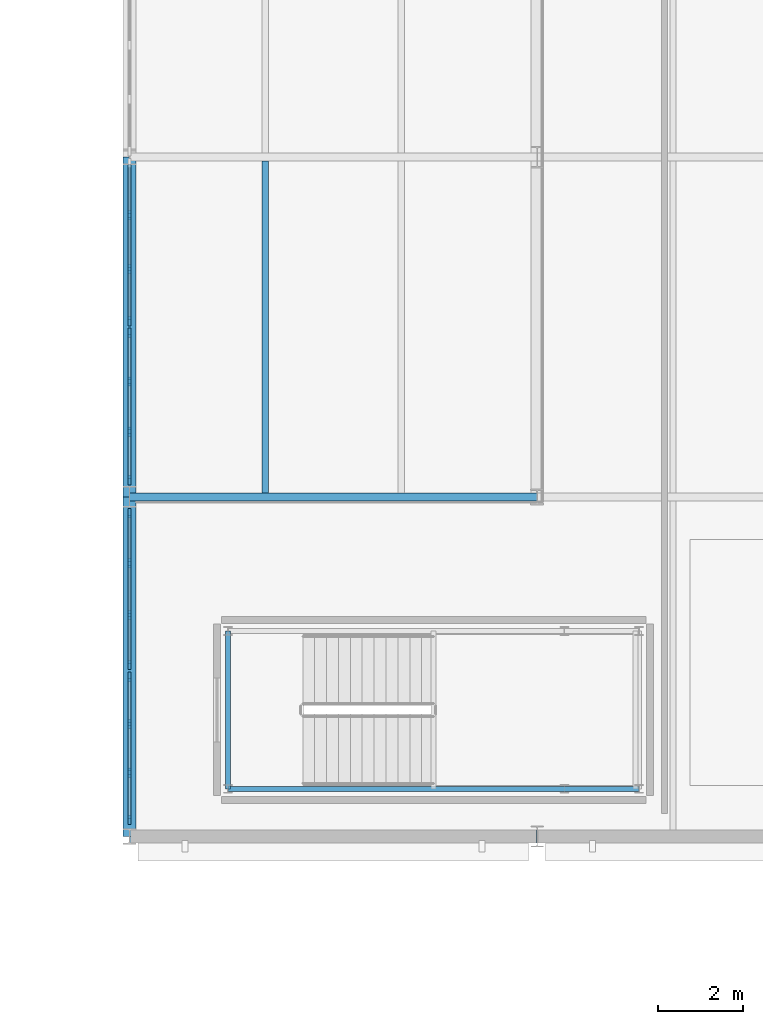
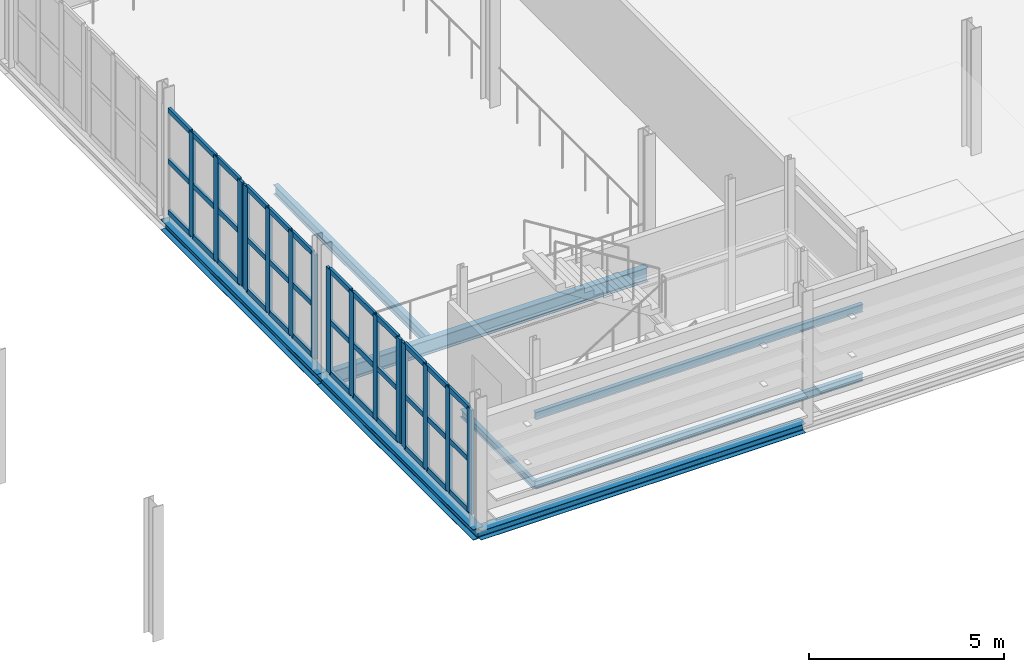
# One storey, part 31 of 78: 51 members, 8 beams, 4 elements without a shape of their own.
"""IFC4 building model written with IfcOpenShell, lengths in metres."""

from ifc_helpers import new_model, si_unit, direction, frame, origin, origin_2d, place, context, subcontext, project, spatial, rectangle, i_section, extrude, material, layer, layer_set, material_profile, profile_set, type_object, element, aggregate, save


model = new_model("IFC4")

# Units and contexts
model_context = context("Model", 3, precision=1e-05, world=origin(), true_north=direction((0.0, 1.0)))
body_context = subcontext(model_context, "Body", "Model", "MODEL_VIEW")
ifc_project = project(units=[si_unit("LENGTHUNIT", "METRE"), si_unit("AREAUNIT", "SQUARE_METRE"), si_unit("VOLUMEUNIT", "CUBIC_METRE"), si_unit("PLANEANGLEUNIT", "RADIAN"), si_unit("MASSUNIT", "GRAM", prefix="KILO")], contexts=[model_context])

# Site, building, storey
site_placement = place(None, origin())
site = spatial("IfcSite", under=ifc_project, at=site_placement, CompositionType="ELEMENT")
building_placement = place(site_placement, origin())
building = spatial("IfcBuilding", under=site, at=building_placement, Name="Alderhovde Museum", CompositionType="ELEMENT")
storey_placement = place(building_placement, frame((0.0, 0.0, 4.5)))
storey = spatial("IfcBuildingStorey", under=building, at=storey_placement, Name="L01", CompositionType="ELEMENT", Elevation=4.5)

# Beams
ifc_material_1 = material(Name="Steel S355J2", Category="steel")
ifc_material_profile_1 = material_profile(ifc_material_1, i_section(OverallWidth=0.300048828125, OverallDepth=0.330078125, WebThickness=0.009521484375, FlangeThickness=0.0166015625, FilletRadius=0.027099609375, at=origin_2d()), Name="HEA 340")
ifc_profile_set_1 = profile_set([ifc_material_profile_1], Name="Steel S355J2")
beam_type_1 = type_object("IfcBeamType", Name="BM-HEA340", PredefinedType="BEAM", material=ifc_profile_set_1)
for number, where, z_axis, x_axis, name in (
    (1, (19.199951171875, 48.0, -0.425048828125), (0.0, 1.0, 0.0), (-1.0, 0.0, 0.0), "L01 Grid Beam X=19.2 (48.0 TO 56.0)"),
    (2, (19.199951171875, 56.0, -0.425048828125), (0.0, 1.0, 0.0), (-1.0, 0.0, 0.0), "L01 Grid Beam X=19.2 (56.0 TO 64.0)"),
):
    element("IfcBeam", number, at=place(storey_placement, frame(where, z_axis=z_axis, x_axis=x_axis)), inside=storey, type_object=beam_type_1, Name=name, PredefinedType="BEAM", context=body_context, shape_type="SweptSolid", body=[
        extrude(i_section(OverallWidth=0.300048828125, OverallDepth=0.330078125, WebThickness=0.009521484375, FlangeThickness=0.0166015625, FilletRadius=0.027099609375, at=origin_2d()), origin(), (0.0, 0.0, 1.0), 8.0),
    ])
ifc_material_2 = material(Name="Steel S355J2", Category="steel")
ifc_material_profile_2 = material_profile(ifc_material_2, i_section(OverallWidth=0.1201171875, OverallDepth=0.239990234375, WebThickness=0.006103515625, FlangeThickness=0.009765625, FilletRadius=0.014892578125, at=origin_2d()), Name="IPE 240")
ifc_profile_set_2 = profile_set([ifc_material_profile_2], Name="Steel S355J2")
beam_type_2 = type_object("IfcBeamType", Name="BM-IPE240", PredefinedType="BEAM", material=ifc_profile_set_2)
beam_1_placement = place(storey_placement, frame((21.52001953125, 49.1201171875, -0.3798828125), z_axis=(1.0, 0.0, 0.0), x_axis=(0.0, 1.0, 0.0)))
element("IfcBeam", 3, at=beam_1_placement, inside=storey, type_object=beam_type_2, Name="L01 Stair ST1 Floor Trimmer S", PredefinedType="BEAM", context=body_context, shape_type="SweptSolid", body=[
    extrude(i_section(OverallWidth=0.1201171875, OverallDepth=0.239990234375, WebThickness=0.006103515625, FlangeThickness=0.009765625, FilletRadius=0.014892578125, at=origin_2d()), origin(), (0.0, 0.0, 1.0), 9.679931640625),
])
beam_2_placement = place(storey_placement, frame((21.52001953125, 49.1201171875, -0.3798828125), z_axis=(0.0, 1.0, 0.0), x_axis=(-1.0, 0.0, 0.0)))
element("IfcBeam", 4, at=beam_2_placement, inside=storey, type_object=beam_type_2, Name="L01 Stair ST1 Floor Trimmer W", PredefinedType="BEAM", context=body_context, shape_type="SweptSolid", body=[
    extrude(i_section(OverallWidth=0.1201171875, OverallDepth=0.239990234375, WebThickness=0.006103515625, FlangeThickness=0.009765625, FilletRadius=0.014892578125, at=origin_2d()), origin(), (0.0, 0.0, 1.0), 3.719970703125),
])
beam_3_placement = place(storey_placement, frame((21.52001953125, 49.1201171875, 1.780029296875), z_axis=(1.0, 0.0, 0.0), x_axis=(0.0, 1.0, 0.0)))
element("IfcBeam", 5, at=beam_3_placement, inside=storey, type_object=beam_type_2, Name="L01 Stair ST1 Landing 1 Beam S", PredefinedType="BEAM", context=body_context, shape_type="SweptSolid", body=[
    extrude(i_section(OverallWidth=0.1201171875, OverallDepth=0.239990234375, WebThickness=0.006103515625, FlangeThickness=0.009765625, FilletRadius=0.014892578125, at=origin_2d()), origin(), (0.0, 0.0, 1.0), 9.679931640625),
])
ifc_material_3 = material(Name="Steel S355J2", Category="steel")
ifc_material_profile_3 = material_profile(ifc_material_3, i_section(OverallWidth=0.18994140625, OverallDepth=0.449951171875, WebThickness=0.009521484375, FlangeThickness=0.0146484375, FilletRadius=0.02099609375, at=origin_2d()), Name="IPE 450")
ifc_profile_set_3 = profile_set([ifc_material_profile_3], Name="Steel S355J2")
beam_type_3 = type_object("IfcBeamType", Name="BM-IPE450", PredefinedType="BEAM", material=ifc_profile_set_3)
beam_4_placement = place(storey_placement, frame((19.199951171875, 56.0, -0.485107421875), z_axis=(1.0, 0.0, 0.0), x_axis=(0.0, 1.0, 0.0)))
element("IfcBeam", 6, at=beam_4_placement, inside=storey, type_object=beam_type_3, Name="L01 Grid Beam Y=56.0 (19.2 TO 28.8)", PredefinedType="BEAM", context=body_context, shape_type="SweptSolid", body=[
    extrude(i_section(OverallWidth=0.18994140625, OverallDepth=0.449951171875, WebThickness=0.009521484375, FlangeThickness=0.0146484375, FilletRadius=0.02099609375, at=origin_2d()), origin(), (0.0, 0.0, 1.0), 9.60009765625),
])

# Curtain wall, members
ifc_material_4 = material(Name="Triple-Glazed Bronze-Anodised Curtain Wall", Category="glass")
ifc_layer_1 = layer(ifc_material_4, 0.219970703125)
ifc_layer_set_1 = layer_set([ifc_layer_1], Name="Triple-Glazed Bronze-Anodised Curtain Wall")
curtain_wall_type_1 = type_object("IfcCurtainWallType", Name="CW-STIC-345x326", PredefinedType="USERDEFINED", material=ifc_layer_set_1)
curtain_wall_1_placement = place(storey_placement, origin())
curtain_wall_1 = element("IfcCurtainWall", 7, at=curtain_wall_1_placement, inside=storey, type_object=curtain_wall_type_1, Name="L01 Stick Curtain Wall 3", ObjectType="STICK CURTAIN WALL", PredefinedType="USERDEFINED")
ifc_material_5 = material(Name="Bronze-Anodised Aluminium EN AW-6063-T6", Category="aluminium")
ifc_material_profile_4 = material_profile(ifc_material_5, rectangle(XDim=0.074951171875, YDim=0.219970703125, at=origin_2d()), Name="MULLION 75x220")
ifc_profile_set_4 = profile_set([ifc_material_profile_4], Name="Bronze-Anodised Aluminium EN AW-6063-T6")
member_type_1 = type_object("IfcMemberType", Name="CWM-75x220", PredefinedType="MULLION", material=ifc_profile_set_4)
member_1_placement = place(storey_placement, frame((19.199951171875, 48.387451171875, 0.0), z_axis=(0.0, 0.0, 1.0), x_axis=(-1.0, 0.0, 0.0)))
member_1 = element("IfcMember", 8, at=member_1_placement, type_object=member_type_1, Name="CW03 mullion 1", PredefinedType="MULLION", context=body_context, shape_type="SweptSolid", body=[
    extrude(rectangle(XDim=0.074951171875, YDim=0.219970703125, at=origin_2d()), origin(), (0.0, 0.0, 1.0), 3.260009765625),
])
member_2_placement = place(storey_placement, frame((19.199951171875, 49.5, 0.0), z_axis=(0.0, 0.0, 1.0), x_axis=(-1.0, 0.0, 0.0)))
member_2 = element("IfcMember", 9, at=member_2_placement, type_object=member_type_1, Name="CW03 mullion 2", PredefinedType="MULLION", context=body_context, shape_type="SweptSolid", body=[
    extrude(rectangle(XDim=0.074951171875, YDim=0.219970703125, at=origin_2d()), origin(), (0.0, 0.0, 1.0), 3.260009765625),
])
member_3_placement = place(storey_placement, frame((19.199951171875, 50.64990234375, 0.0), z_axis=(0.0, 0.0, 1.0), x_axis=(-1.0, 0.0, 0.0)))
member_3 = element("IfcMember", 10, at=member_3_placement, type_object=member_type_1, Name="CW03 mullion 3", PredefinedType="MULLION", context=body_context, shape_type="SweptSolid", body=[
    extrude(rectangle(XDim=0.074951171875, YDim=0.219970703125, at=origin_2d()), origin(), (0.0, 0.0, 1.0), 3.260009765625),
])
member_4_placement = place(storey_placement, frame((19.199951171875, 51.762451171875, 0.0), z_axis=(0.0, 0.0, 1.0), x_axis=(-1.0, 0.0, 0.0)))
member_4 = element("IfcMember", 11, at=member_4_placement, type_object=member_type_1, Name="CW03 mullion 4", PredefinedType="MULLION", context=body_context, shape_type="SweptSolid", body=[
    extrude(rectangle(XDim=0.074951171875, YDim=0.219970703125, at=origin_2d()), origin(), (0.0, 0.0, 1.0), 3.260009765625),
])

ifc_material_6 = material(Name="Triple-Glazed Bronze-Anodised Curtain Wall", Category="glass")
ifc_layer_2 = layer(ifc_material_6, 0.219970703125)
ifc_layer_set_2 = layer_set([ifc_layer_2], Name="Triple-Glazed Bronze-Anodised Curtain Wall")
curtain_wall_type_2 = type_object("IfcCurtainWallType", Name="CW-STIC-365x326", PredefinedType="USERDEFINED", material=ifc_layer_set_2)
curtain_wall_2_placement = place(storey_placement, origin())
curtain_wall_2 = element("IfcCurtainWall", 12, at=curtain_wall_2_placement, inside=storey, type_object=curtain_wall_type_2, Name="L01 Stick Curtain Wall 4", ObjectType="STICK CURTAIN WALL", PredefinedType="USERDEFINED")
member_5_placement = place(storey_placement, frame((19.199951171875, 52.03759765625, 0.0), z_axis=(0.0, 0.0, 1.0), x_axis=(-1.0, 0.0, 0.0)))
member_5 = element("IfcMember", 13, at=member_5_placement, type_object=member_type_1, Name="CW04 mullion 1", PredefinedType="MULLION", context=body_context, shape_type="SweptSolid", body=[
    extrude(rectangle(XDim=0.074951171875, YDim=0.219970703125, at=origin_2d()), origin(), (0.0, 0.0, 1.0), 3.260009765625),
])
member_6_placement = place(storey_placement, frame((19.199951171875, 53.216552734375, 0.0), z_axis=(0.0, 0.0, 1.0), x_axis=(-1.0, 0.0, 0.0)))
member_6 = element("IfcMember", 14, at=member_6_placement, type_object=member_type_1, Name="CW04 mullion 2", PredefinedType="MULLION", context=body_context, shape_type="SweptSolid", body=[
    extrude(rectangle(XDim=0.074951171875, YDim=0.219970703125, at=origin_2d()), origin(), (0.0, 0.0, 1.0), 3.260009765625),
])
member_7_placement = place(storey_placement, frame((19.199951171875, 54.433349609375, 0.0), z_axis=(0.0, 0.0, 1.0), x_axis=(-1.0, 0.0, 0.0)))
member_7 = element("IfcMember", 15, at=member_7_placement, type_object=member_type_1, Name="CW04 mullion 3", PredefinedType="MULLION", context=body_context, shape_type="SweptSolid", body=[
    extrude(rectangle(XDim=0.074951171875, YDim=0.219970703125, at=origin_2d()), origin(), (0.0, 0.0, 1.0), 3.260009765625),
])
member_8_placement = place(storey_placement, frame((19.199951171875, 55.612548828125, 0.0), z_axis=(0.0, 0.0, 1.0), x_axis=(-1.0, 0.0, 0.0)))
member_8 = element("IfcMember", 16, at=member_8_placement, type_object=member_type_1, Name="CW04 mullion 4", PredefinedType="MULLION", context=body_context, shape_type="SweptSolid", body=[
    extrude(rectangle(XDim=0.074951171875, YDim=0.219970703125, at=origin_2d()), origin(), (0.0, 0.0, 1.0), 3.260009765625),
])

ifc_material_7 = material(Name="Triple-Glazed Bronze-Anodised Curtain Wall", Category="glass")
ifc_layer_3 = layer(ifc_material_7, 0.219970703125)
ifc_layer_set_3 = layer_set([ifc_layer_3], Name="Triple-Glazed Bronze-Anodised Curtain Wall")
curtain_wall_type_3 = type_object("IfcCurtainWallType", Name="CW-STIC-355x326", PredefinedType="USERDEFINED", material=ifc_layer_set_3)
curtain_wall_3_placement = place(storey_placement, origin())
curtain_wall_3 = element("IfcCurtainWall", 17, at=curtain_wall_3_placement, inside=storey, type_object=curtain_wall_type_3, Name="L01 Stick Curtain Wall 7", ObjectType="STICK CURTAIN WALL", PredefinedType="USERDEFINED")
member_9_placement = place(storey_placement, frame((19.199951171875, 56.387451171875, 0.0), z_axis=(0.0, 0.0, 1.0), x_axis=(-1.0, 0.0, 0.0)))
member_9 = element("IfcMember", 18, at=member_9_placement, type_object=member_type_1, Name="CW05 mullion 1", PredefinedType="MULLION", context=body_context, shape_type="SweptSolid", body=[
    extrude(rectangle(XDim=0.074951171875, YDim=0.219970703125, at=origin_2d()), origin(), (0.0, 0.0, 1.0), 3.260009765625),
])
member_10_placement = place(storey_placement, frame((19.199951171875, 57.533447265625, 0.0), z_axis=(0.0, 0.0, 1.0), x_axis=(-1.0, 0.0, 0.0)))
member_10 = element("IfcMember", 19, at=member_10_placement, type_object=member_type_1, Name="CW05 mullion 2", PredefinedType="MULLION", context=body_context, shape_type="SweptSolid", body=[
    extrude(rectangle(XDim=0.074951171875, YDim=0.219970703125, at=origin_2d()), origin(), (0.0, 0.0, 1.0), 3.260009765625),
])
member_11_placement = place(storey_placement, frame((19.199951171875, 58.716552734375, 0.0), z_axis=(0.0, 0.0, 1.0), x_axis=(-1.0, 0.0, 0.0)))
member_11 = element("IfcMember", 20, at=member_11_placement, type_object=member_type_1, Name="CW05 mullion 3", PredefinedType="MULLION", context=body_context, shape_type="SweptSolid", body=[
    extrude(rectangle(XDim=0.074951171875, YDim=0.219970703125, at=origin_2d()), origin(), (0.0, 0.0, 1.0), 3.260009765625),
])
member_12_placement = place(storey_placement, frame((19.199951171875, 59.862548828125, 0.0), z_axis=(0.0, 0.0, 1.0), x_axis=(-1.0, 0.0, 0.0)))
member_12 = element("IfcMember", 21, at=member_12_placement, type_object=member_type_1, Name="CW05 mullion 4", PredefinedType="MULLION", context=body_context, shape_type="SweptSolid", body=[
    extrude(rectangle(XDim=0.074951171875, YDim=0.219970703125, at=origin_2d()), origin(), (0.0, 0.0, 1.0), 3.260009765625),
])

ifc_material_8 = material(Name="Triple-Glazed Bronze-Anodised Curtain Wall", Category="glass")
ifc_layer_4 = layer(ifc_material_8, 0.219970703125)
ifc_layer_set_4 = layer_set([ifc_layer_4], Name="Triple-Glazed Bronze-Anodised Curtain Wall")
curtain_wall_type_4 = type_object("IfcCurtainWallType", Name="CW-STIC-380x326", PredefinedType="USERDEFINED", material=ifc_layer_set_4)
curtain_wall_4_placement = place(storey_placement, origin())
curtain_wall_4 = element("IfcCurtainWall", 22, at=curtain_wall_4_placement, inside=storey, type_object=curtain_wall_type_4, Name="L01 Stick Curtain Wall 8", ObjectType="STICK CURTAIN WALL", PredefinedType="USERDEFINED")
member_13_placement = place(storey_placement, frame((19.199951171875, 60.137451171875, 0.0), z_axis=(0.0, 0.0, 1.0), x_axis=(-1.0, 0.0, 0.0)))
member_13 = element("IfcMember", 23, at=member_13_placement, type_object=member_type_1, Name="CW06 mullion 1", PredefinedType="MULLION", context=body_context, shape_type="SweptSolid", body=[
    extrude(rectangle(XDim=0.074951171875, YDim=0.219970703125, at=origin_2d()), origin(), (0.0, 0.0, 1.0), 3.260009765625),
])
member_14_placement = place(storey_placement, frame((19.199951171875, 61.36669921875, 0.0), z_axis=(0.0, 0.0, 1.0), x_axis=(-1.0, 0.0, 0.0)))
member_14 = element("IfcMember", 24, at=member_14_placement, type_object=member_type_1, Name="CW06 mullion 2", PredefinedType="MULLION", context=body_context, shape_type="SweptSolid", body=[
    extrude(rectangle(XDim=0.074951171875, YDim=0.219970703125, at=origin_2d()), origin(), (0.0, 0.0, 1.0), 3.260009765625),
])
member_15_placement = place(storey_placement, frame((19.199951171875, 62.63330078125, 0.0), z_axis=(0.0, 0.0, 1.0), x_axis=(-1.0, 0.0, 0.0)))
member_15 = element("IfcMember", 25, at=member_15_placement, type_object=member_type_1, Name="CW06 mullion 3", PredefinedType="MULLION", context=body_context, shape_type="SweptSolid", body=[
    extrude(rectangle(XDim=0.074951171875, YDim=0.219970703125, at=origin_2d()), origin(), (0.0, 0.0, 1.0), 3.260009765625),
])

# Member
ifc_material_9 = material(Name="Bronze-Anodised Aluminium EN AW-6063-T6", Category="aluminium")
ifc_material_profile_5 = material_profile(ifc_material_9, rectangle(XDim=0.074951171875, YDim=0.159912109375, at=origin_2d()), Name="TRANSOM 75x160")
ifc_profile_set_5 = profile_set([ifc_material_profile_5], Name="Bronze-Anodised Aluminium EN AW-6063-T6")
member_type_2 = type_object("IfcMemberType", Name="CWT-75x160", PredefinedType="USERDEFINED", material=ifc_profile_set_5)
member_16_placement = place(storey_placement, frame((19.199951171875, 48.425048828125, 0.03759765625), z_axis=(0.0, 1.0, 0.0), x_axis=(-1.0, 0.0, 0.0)))
member_16 = element("IfcMember", 26, at=member_16_placement, type_object=member_type_2, Name="CW03 transom 1.1", ObjectType="TRANSOM", PredefinedType="USERDEFINED", context=body_context, shape_type="SweptSolid", body=[
    extrude(rectangle(XDim=0.074951171875, YDim=0.159912109375, at=origin_2d()), origin(), (0.0, 0.0, 1.0), 1.037353515625),
])

member_17_placement = place(storey_placement, frame((19.199951171875, 48.425048828125, 1.6298828125), z_axis=(0.0, 1.0, 0.0), x_axis=(-1.0, 0.0, 0.0)))
member_17 = element("IfcMember", 27, at=member_17_placement, type_object=member_type_2, Name="CW03 transom 1.2", ObjectType="TRANSOM", PredefinedType="USERDEFINED", context=body_context, shape_type="SweptSolid", body=[
    extrude(rectangle(XDim=0.074951171875, YDim=0.159912109375, at=origin_2d()), origin(), (0.0, 0.0, 1.0), 1.037353515625),
])

member_18_placement = place(storey_placement, frame((19.199951171875, 48.425048828125, 3.222412109375), z_axis=(0.0, 1.0, 0.0), x_axis=(-1.0, 0.0, 0.0)))
member_18 = element("IfcMember", 28, at=member_18_placement, type_object=member_type_2, Name="CW03 transom 1.3", ObjectType="TRANSOM", PredefinedType="USERDEFINED", context=body_context, shape_type="SweptSolid", body=[
    extrude(rectangle(XDim=0.074951171875, YDim=0.159912109375, at=origin_2d()), origin(), (0.0, 0.0, 1.0), 1.037353515625),
])

member_19_placement = place(storey_placement, frame((19.199951171875, 49.53759765625, 0.03759765625), z_axis=(0.0, 1.0, 0.0), x_axis=(-1.0, 0.0, 0.0)))
member_19 = element("IfcMember", 29, at=member_19_placement, type_object=member_type_2, Name="CW03 transom 2.1", ObjectType="TRANSOM", PredefinedType="USERDEFINED", context=body_context, shape_type="SweptSolid", body=[
    extrude(rectangle(XDim=0.074951171875, YDim=0.159912109375, at=origin_2d()), origin(), (0.0, 0.0, 1.0), 1.074951171875),
])

member_20_placement = place(storey_placement, frame((19.199951171875, 49.53759765625, 1.6298828125), z_axis=(0.0, 1.0, 0.0), x_axis=(-1.0, 0.0, 0.0)))
member_20 = element("IfcMember", 30, at=member_20_placement, type_object=member_type_2, Name="CW03 transom 2.2", ObjectType="TRANSOM", PredefinedType="USERDEFINED", context=body_context, shape_type="SweptSolid", body=[
    extrude(rectangle(XDim=0.074951171875, YDim=0.159912109375, at=origin_2d()), origin(), (0.0, 0.0, 1.0), 1.074951171875),
])

member_21_placement = place(storey_placement, frame((19.199951171875, 49.53759765625, 3.222412109375), z_axis=(0.0, 1.0, 0.0), x_axis=(-1.0, 0.0, 0.0)))
member_21 = element("IfcMember", 31, at=member_21_placement, type_object=member_type_2, Name="CW03 transom 2.3", ObjectType="TRANSOM", PredefinedType="USERDEFINED", context=body_context, shape_type="SweptSolid", body=[
    extrude(rectangle(XDim=0.074951171875, YDim=0.159912109375, at=origin_2d()), origin(), (0.0, 0.0, 1.0), 1.074951171875),
])

member_22_placement = place(storey_placement, frame((19.199951171875, 50.6875, 0.03759765625), z_axis=(0.0, 1.0, 0.0), x_axis=(-1.0, 0.0, 0.0)))
member_22 = element("IfcMember", 32, at=member_22_placement, type_object=member_type_2, Name="CW03 transom 3.1", ObjectType="TRANSOM", PredefinedType="USERDEFINED", context=body_context, shape_type="SweptSolid", body=[
    extrude(rectangle(XDim=0.074951171875, YDim=0.159912109375, at=origin_2d()), origin(), (0.0, 0.0, 1.0), 1.03759765625),
])

member_23_placement = place(storey_placement, frame((19.199951171875, 50.6875, 1.6298828125), z_axis=(0.0, 1.0, 0.0), x_axis=(-1.0, 0.0, 0.0)))
member_23 = element("IfcMember", 33, at=member_23_placement, type_object=member_type_2, Name="CW03 transom 3.2", ObjectType="TRANSOM", PredefinedType="USERDEFINED", context=body_context, shape_type="SweptSolid", body=[
    extrude(rectangle(XDim=0.074951171875, YDim=0.159912109375, at=origin_2d()), origin(), (0.0, 0.0, 1.0), 1.03759765625),
])

member_24_placement = place(storey_placement, frame((19.199951171875, 50.6875, 3.222412109375), z_axis=(0.0, 1.0, 0.0), x_axis=(-1.0, 0.0, 0.0)))
member_24 = element("IfcMember", 34, at=member_24_placement, type_object=member_type_2, Name="CW03 transom 3.3", ObjectType="TRANSOM", PredefinedType="USERDEFINED", context=body_context, shape_type="SweptSolid", body=[
    extrude(rectangle(XDim=0.074951171875, YDim=0.159912109375, at=origin_2d()), origin(), (0.0, 0.0, 1.0), 1.03759765625),
])

aggregate(curtain_wall_1, [member_1, member_2, member_3, member_4, member_16, member_17, member_18, member_19, member_20, member_21, member_22, member_23, member_24])

member_25_placement = place(storey_placement, frame((19.199951171875, 52.074951171875, 0.03759765625), z_axis=(0.0, 1.0, 0.0), x_axis=(-1.0, 0.0, 0.0)))
member_25 = element("IfcMember", 35, at=member_25_placement, type_object=member_type_2, Name="CW04 transom 1.1", ObjectType="TRANSOM", PredefinedType="USERDEFINED", context=body_context, shape_type="SweptSolid", body=[
    extrude(rectangle(XDim=0.074951171875, YDim=0.159912109375, at=origin_2d()), origin(), (0.0, 0.0, 1.0), 1.104248046875),
])

member_26_placement = place(storey_placement, frame((19.199951171875, 52.074951171875, 1.6298828125), z_axis=(0.0, 1.0, 0.0), x_axis=(-1.0, 0.0, 0.0)))
member_26 = element("IfcMember", 36, at=member_26_placement, type_object=member_type_2, Name="CW04 transom 1.2", ObjectType="TRANSOM", PredefinedType="USERDEFINED", context=body_context, shape_type="SweptSolid", body=[
    extrude(rectangle(XDim=0.074951171875, YDim=0.159912109375, at=origin_2d()), origin(), (0.0, 0.0, 1.0), 1.104248046875),
])

member_27_placement = place(storey_placement, frame((19.199951171875, 52.074951171875, 3.222412109375), z_axis=(0.0, 1.0, 0.0), x_axis=(-1.0, 0.0, 0.0)))
member_27 = element("IfcMember", 37, at=member_27_placement, type_object=member_type_2, Name="CW04 transom 1.3", ObjectType="TRANSOM", PredefinedType="USERDEFINED", context=body_context, shape_type="SweptSolid", body=[
    extrude(rectangle(XDim=0.074951171875, YDim=0.159912109375, at=origin_2d()), origin(), (0.0, 0.0, 1.0), 1.104248046875),
])

member_28_placement = place(storey_placement, frame((19.199951171875, 53.254150390625, 0.03759765625), z_axis=(0.0, 1.0, 0.0), x_axis=(-1.0, 0.0, 0.0)))
member_28 = element("IfcMember", 38, at=member_28_placement, type_object=member_type_2, Name="CW04 transom 2.1", ObjectType="TRANSOM", PredefinedType="USERDEFINED", context=body_context, shape_type="SweptSolid", body=[
    extrude(rectangle(XDim=0.074951171875, YDim=0.159912109375, at=origin_2d()), origin(), (0.0, 0.0, 1.0), 1.1416015625),
])

member_29_placement = place(storey_placement, frame((19.199951171875, 53.254150390625, 1.6298828125), z_axis=(0.0, 1.0, 0.0), x_axis=(-1.0, 0.0, 0.0)))
member_29 = element("IfcMember", 39, at=member_29_placement, type_object=member_type_2, Name="CW04 transom 2.2", ObjectType="TRANSOM", PredefinedType="USERDEFINED", context=body_context, shape_type="SweptSolid", body=[
    extrude(rectangle(XDim=0.074951171875, YDim=0.159912109375, at=origin_2d()), origin(), (0.0, 0.0, 1.0), 1.1416015625),
])

member_30_placement = place(storey_placement, frame((19.199951171875, 53.254150390625, 3.222412109375), z_axis=(0.0, 1.0, 0.0), x_axis=(-1.0, 0.0, 0.0)))
member_30 = element("IfcMember", 40, at=member_30_placement, type_object=member_type_2, Name="CW04 transom 2.3", ObjectType="TRANSOM", PredefinedType="USERDEFINED", context=body_context, shape_type="SweptSolid", body=[
    extrude(rectangle(XDim=0.074951171875, YDim=0.159912109375, at=origin_2d()), origin(), (0.0, 0.0, 1.0), 1.1416015625),
])

member_31_placement = place(storey_placement, frame((19.199951171875, 54.470947265625, 0.03759765625), z_axis=(0.0, 1.0, 0.0), x_axis=(-1.0, 0.0, 0.0)))
member_31 = element("IfcMember", 41, at=member_31_placement, type_object=member_type_2, Name="CW04 transom 3.1", ObjectType="TRANSOM", PredefinedType="USERDEFINED", context=body_context, shape_type="SweptSolid", body=[
    extrude(rectangle(XDim=0.074951171875, YDim=0.159912109375, at=origin_2d()), origin(), (0.0, 0.0, 1.0), 1.10400390625),
])

member_32_placement = place(storey_placement, frame((19.199951171875, 54.470947265625, 1.6298828125), z_axis=(0.0, 1.0, 0.0), x_axis=(-1.0, 0.0, 0.0)))
member_32 = element("IfcMember", 42, at=member_32_placement, type_object=member_type_2, Name="CW04 transom 3.2", ObjectType="TRANSOM", PredefinedType="USERDEFINED", context=body_context, shape_type="SweptSolid", body=[
    extrude(rectangle(XDim=0.074951171875, YDim=0.159912109375, at=origin_2d()), origin(), (0.0, 0.0, 1.0), 1.10400390625),
])

member_33_placement = place(storey_placement, frame((19.199951171875, 54.470947265625, 3.222412109375), z_axis=(0.0, 1.0, 0.0), x_axis=(-1.0, 0.0, 0.0)))
member_33 = element("IfcMember", 43, at=member_33_placement, type_object=member_type_2, Name="CW04 transom 3.3", ObjectType="TRANSOM", PredefinedType="USERDEFINED", context=body_context, shape_type="SweptSolid", body=[
    extrude(rectangle(XDim=0.074951171875, YDim=0.159912109375, at=origin_2d()), origin(), (0.0, 0.0, 1.0), 1.10400390625),
])

aggregate(curtain_wall_2, [member_5, member_6, member_7, member_8, member_25, member_26, member_27, member_28, member_29, member_30, member_31, member_32, member_33])

member_34_placement = place(storey_placement, frame((19.199951171875, 56.425048828125, 0.03759765625), z_axis=(0.0, 1.0, 0.0), x_axis=(-1.0, 0.0, 0.0)))
member_34 = element("IfcMember", 44, at=member_34_placement, type_object=member_type_2, Name="CW05 transom 1.1", ObjectType="TRANSOM", PredefinedType="USERDEFINED", context=body_context, shape_type="SweptSolid", body=[
    extrude(rectangle(XDim=0.074951171875, YDim=0.159912109375, at=origin_2d()), origin(), (0.0, 0.0, 1.0), 1.07080078125),
])

member_35_placement = place(storey_placement, frame((19.199951171875, 56.425048828125, 1.6298828125), z_axis=(0.0, 1.0, 0.0), x_axis=(-1.0, 0.0, 0.0)))
member_35 = element("IfcMember", 45, at=member_35_placement, type_object=member_type_2, Name="CW05 transom 1.2", ObjectType="TRANSOM", PredefinedType="USERDEFINED", context=body_context, shape_type="SweptSolid", body=[
    extrude(rectangle(XDim=0.074951171875, YDim=0.159912109375, at=origin_2d()), origin(), (0.0, 0.0, 1.0), 1.07080078125),
])

member_36_placement = place(storey_placement, frame((19.199951171875, 56.425048828125, 3.222412109375), z_axis=(0.0, 1.0, 0.0), x_axis=(-1.0, 0.0, 0.0)))
member_36 = element("IfcMember", 46, at=member_36_placement, type_object=member_type_2, Name="CW05 transom 1.3", ObjectType="TRANSOM", PredefinedType="USERDEFINED", context=body_context, shape_type="SweptSolid", body=[
    extrude(rectangle(XDim=0.074951171875, YDim=0.159912109375, at=origin_2d()), origin(), (0.0, 0.0, 1.0), 1.07080078125),
])

member_37_placement = place(storey_placement, frame((19.199951171875, 57.57080078125, 0.03759765625), z_axis=(0.0, 1.0, 0.0), x_axis=(-1.0, 0.0, 0.0)))
member_37 = element("IfcMember", 47, at=member_37_placement, type_object=member_type_2, Name="CW05 transom 2.1", ObjectType="TRANSOM", PredefinedType="USERDEFINED", context=body_context, shape_type="SweptSolid", body=[
    extrude(rectangle(XDim=0.074951171875, YDim=0.159912109375, at=origin_2d()), origin(), (0.0, 0.0, 1.0), 1.1083984375),
])

member_38_placement = place(storey_placement, frame((19.199951171875, 57.57080078125, 1.6298828125), z_axis=(0.0, 1.0, 0.0), x_axis=(-1.0, 0.0, 0.0)))
member_38 = element("IfcMember", 48, at=member_38_placement, type_object=member_type_2, Name="CW05 transom 2.2", ObjectType="TRANSOM", PredefinedType="USERDEFINED", context=body_context, shape_type="SweptSolid", body=[
    extrude(rectangle(XDim=0.074951171875, YDim=0.159912109375, at=origin_2d()), origin(), (0.0, 0.0, 1.0), 1.1083984375),
])

member_39_placement = place(storey_placement, frame((19.199951171875, 57.57080078125, 3.222412109375), z_axis=(0.0, 1.0, 0.0), x_axis=(-1.0, 0.0, 0.0)))
member_39 = element("IfcMember", 49, at=member_39_placement, type_object=member_type_2, Name="CW05 transom 2.3", ObjectType="TRANSOM", PredefinedType="USERDEFINED", context=body_context, shape_type="SweptSolid", body=[
    extrude(rectangle(XDim=0.074951171875, YDim=0.159912109375, at=origin_2d()), origin(), (0.0, 0.0, 1.0), 1.1083984375),
])

member_40_placement = place(storey_placement, frame((19.199951171875, 58.754150390625, 0.03759765625), z_axis=(0.0, 1.0, 0.0), x_axis=(-1.0, 0.0, 0.0)))
member_40 = element("IfcMember", 50, at=member_40_placement, type_object=member_type_2, Name="CW05 transom 3.1", ObjectType="TRANSOM", PredefinedType="USERDEFINED", context=body_context, shape_type="SweptSolid", body=[
    extrude(rectangle(XDim=0.074951171875, YDim=0.159912109375, at=origin_2d()), origin(), (0.0, 0.0, 1.0), 1.07080078125),
])

member_41_placement = place(storey_placement, frame((19.199951171875, 58.754150390625, 1.6298828125), z_axis=(0.0, 1.0, 0.0), x_axis=(-1.0, 0.0, 0.0)))
member_41 = element("IfcMember", 51, at=member_41_placement, type_object=member_type_2, Name="CW05 transom 3.2", ObjectType="TRANSOM", PredefinedType="USERDEFINED", context=body_context, shape_type="SweptSolid", body=[
    extrude(rectangle(XDim=0.074951171875, YDim=0.159912109375, at=origin_2d()), origin(), (0.0, 0.0, 1.0), 1.07080078125),
])

member_42_placement = place(storey_placement, frame((19.199951171875, 58.754150390625, 3.222412109375), z_axis=(0.0, 1.0, 0.0), x_axis=(-1.0, 0.0, 0.0)))
member_42 = element("IfcMember", 52, at=member_42_placement, type_object=member_type_2, Name="CW05 transom 3.3", ObjectType="TRANSOM", PredefinedType="USERDEFINED", context=body_context, shape_type="SweptSolid", body=[
    extrude(rectangle(XDim=0.074951171875, YDim=0.159912109375, at=origin_2d()), origin(), (0.0, 0.0, 1.0), 1.07080078125),
])

aggregate(curtain_wall_3, [member_9, member_10, member_11, member_12, member_34, member_35, member_36, member_37, member_38, member_39, member_40, member_41, member_42])

member_43_placement = place(storey_placement, frame((19.199951171875, 60.175048828125, 0.03759765625), z_axis=(0.0, 1.0, 0.0), x_axis=(-1.0, 0.0, 0.0)))
member_43 = element("IfcMember", 53, at=member_43_placement, type_object=member_type_2, Name="CW06 transom 1.1", ObjectType="TRANSOM", PredefinedType="USERDEFINED", context=body_context, shape_type="SweptSolid", body=[
    extrude(rectangle(XDim=0.074951171875, YDim=0.159912109375, at=origin_2d()), origin(), (0.0, 0.0, 1.0), 1.154052734375),
])

member_44_placement = place(storey_placement, frame((19.199951171875, 60.175048828125, 1.6298828125), z_axis=(0.0, 1.0, 0.0), x_axis=(-1.0, 0.0, 0.0)))
member_44 = element("IfcMember", 54, at=member_44_placement, type_object=member_type_2, Name="CW06 transom 1.2", ObjectType="TRANSOM", PredefinedType="USERDEFINED", context=body_context, shape_type="SweptSolid", body=[
    extrude(rectangle(XDim=0.074951171875, YDim=0.159912109375, at=origin_2d()), origin(), (0.0, 0.0, 1.0), 1.154052734375),
])

member_45_placement = place(storey_placement, frame((19.199951171875, 60.175048828125, 3.222412109375), z_axis=(0.0, 1.0, 0.0), x_axis=(-1.0, 0.0, 0.0)))
member_45 = element("IfcMember", 55, at=member_45_placement, type_object=member_type_2, Name="CW06 transom 1.3", ObjectType="TRANSOM", PredefinedType="USERDEFINED", context=body_context, shape_type="SweptSolid", body=[
    extrude(rectangle(XDim=0.074951171875, YDim=0.159912109375, at=origin_2d()), origin(), (0.0, 0.0, 1.0), 1.154052734375),
])

member_46_placement = place(storey_placement, frame((19.199951171875, 61.404052734375, 0.03759765625), z_axis=(0.0, 1.0, 0.0), x_axis=(-1.0, 0.0, 0.0)))
member_46 = element("IfcMember", 56, at=member_46_placement, type_object=member_type_2, Name="CW06 transom 2.1", ObjectType="TRANSOM", PredefinedType="USERDEFINED", context=body_context, shape_type="SweptSolid", body=[
    extrude(rectangle(XDim=0.074951171875, YDim=0.159912109375, at=origin_2d()), origin(), (0.0, 0.0, 1.0), 1.19189453125),
])

member_47_placement = place(storey_placement, frame((19.199951171875, 61.404052734375, 1.6298828125), z_axis=(0.0, 1.0, 0.0), x_axis=(-1.0, 0.0, 0.0)))
member_47 = element("IfcMember", 57, at=member_47_placement, type_object=member_type_2, Name="CW06 transom 2.2", ObjectType="TRANSOM", PredefinedType="USERDEFINED", context=body_context, shape_type="SweptSolid", body=[
    extrude(rectangle(XDim=0.074951171875, YDim=0.159912109375, at=origin_2d()), origin(), (0.0, 0.0, 1.0), 1.19189453125),
])

member_48_placement = place(storey_placement, frame((19.199951171875, 61.404052734375, 3.222412109375), z_axis=(0.0, 1.0, 0.0), x_axis=(-1.0, 0.0, 0.0)))
member_48 = element("IfcMember", 58, at=member_48_placement, type_object=member_type_2, Name="CW06 transom 2.3", ObjectType="TRANSOM", PredefinedType="USERDEFINED", context=body_context, shape_type="SweptSolid", body=[
    extrude(rectangle(XDim=0.074951171875, YDim=0.159912109375, at=origin_2d()), origin(), (0.0, 0.0, 1.0), 1.19189453125),
])

member_49_placement = place(storey_placement, frame((19.199951171875, 62.6708984375, 0.03759765625), z_axis=(0.0, 1.0, 0.0), x_axis=(-1.0, 0.0, 0.0)))
member_49 = element("IfcMember", 59, at=member_49_placement, type_object=member_type_2, Name="CW06 transom 3.1", ObjectType="TRANSOM", PredefinedType="USERDEFINED", context=body_context, shape_type="SweptSolid", body=[
    extrude(rectangle(XDim=0.074951171875, YDim=0.159912109375, at=origin_2d()), origin(), (0.0, 0.0, 1.0), 1.154052734375),
])

member_50_placement = place(storey_placement, frame((19.199951171875, 62.6708984375, 1.6298828125), z_axis=(0.0, 1.0, 0.0), x_axis=(-1.0, 0.0, 0.0)))
member_50 = element("IfcMember", 60, at=member_50_placement, type_object=member_type_2, Name="CW06 transom 3.2", ObjectType="TRANSOM", PredefinedType="USERDEFINED", context=body_context, shape_type="SweptSolid", body=[
    extrude(rectangle(XDim=0.074951171875, YDim=0.159912109375, at=origin_2d()), origin(), (0.0, 0.0, 1.0), 1.154052734375),
])

member_51_placement = place(storey_placement, frame((19.199951171875, 62.6708984375, 3.222412109375), z_axis=(0.0, 1.0, 0.0), x_axis=(-1.0, 0.0, 0.0)))
member_51 = element("IfcMember", 61, at=member_51_placement, type_object=member_type_2, Name="CW06 transom 3.3", ObjectType="TRANSOM", PredefinedType="USERDEFINED", context=body_context, shape_type="SweptSolid", body=[
    extrude(rectangle(XDim=0.074951171875, YDim=0.159912109375, at=origin_2d()), origin(), (0.0, 0.0, 1.0), 1.154052734375),
])

aggregate(curtain_wall_4, [member_13, member_14, member_15, member_43, member_44, member_45, member_46, member_47, member_48, member_49, member_50, member_51])

# Beams
ifc_material_10 = material(Name="Steel S355J2", Category="steel")
ifc_material_profile_6 = material_profile(ifc_material_10, i_section(OverallWidth=0.14990234375, OverallDepth=0.300048828125, WebThickness=0.007080078125, FlangeThickness=0.0107421875, FilletRadius=0.014892578125, at=origin_2d()), Name="IPE 300")
ifc_profile_set_6 = profile_set([ifc_material_profile_6], Name="Steel S355J2")
beam_type_4 = type_object("IfcBeamType", Name="JST-IPE300", PredefinedType="JOIST", material=ifc_profile_set_6)
beam_5_placement = place(storey_placement, frame((22.39990234375, 56.094970703125, -0.409912109375), z_axis=(0.0, 1.0, 0.0), x_axis=(-1.0, 0.0, 0.0)))
element("IfcBeam", 62, at=beam_5_placement, inside=storey, type_object=beam_type_4, Name="L01 Composite Joist X=22.4 (56.0 TO 64.0)", PredefinedType="JOIST", context=body_context, shape_type="SweptSolid", body=[
    extrude(i_section(OverallWidth=0.14990234375, OverallDepth=0.300048828125, WebThickness=0.007080078125, FlangeThickness=0.0107421875, FilletRadius=0.014892578125, at=origin_2d()), origin(), (0.0, 0.0, 1.0), 7.81005859375),
])
ifc_material_11 = material(Name="Steel S355J2", Category="steel")
ifc_material_profile_7 = material_profile(ifc_material_11, i_section(OverallWidth=0.300048828125, OverallDepth=0.2900390625, WebThickness=0.008544921875, FlangeThickness=0.013916015625, FilletRadius=0.027099609375, at=origin_2d()), Name="HEA 300")
ifc_profile_set_7 = profile_set([ifc_material_profile_7], Name="Steel S355J2")
beam_type_5 = type_object("IfcBeamType", Name="SPD-HEA300", PredefinedType="SPANDREL", material=ifc_profile_set_7)
beam_6_placement = place(storey_placement, frame((19.199951171875, 48.0, -0.405029296875), z_axis=(1.0, 0.0, 0.0), x_axis=(0.0, 1.0, 0.0)))
element("IfcBeam", 63, at=beam_6_placement, inside=storey, type_object=beam_type_5, Name="L01 Grid Beam Y=48.0 (19.2 TO 28.8)", PredefinedType="SPANDREL", context=body_context, shape_type="SweptSolid", body=[
    extrude(i_section(OverallWidth=0.300048828125, OverallDepth=0.2900390625, WebThickness=0.008544921875, FlangeThickness=0.013916015625, FilletRadius=0.027099609375, at=origin_2d()), origin(), (0.0, 0.0, 1.0), 9.60009765625),
])

save(model, "model.ifc")
